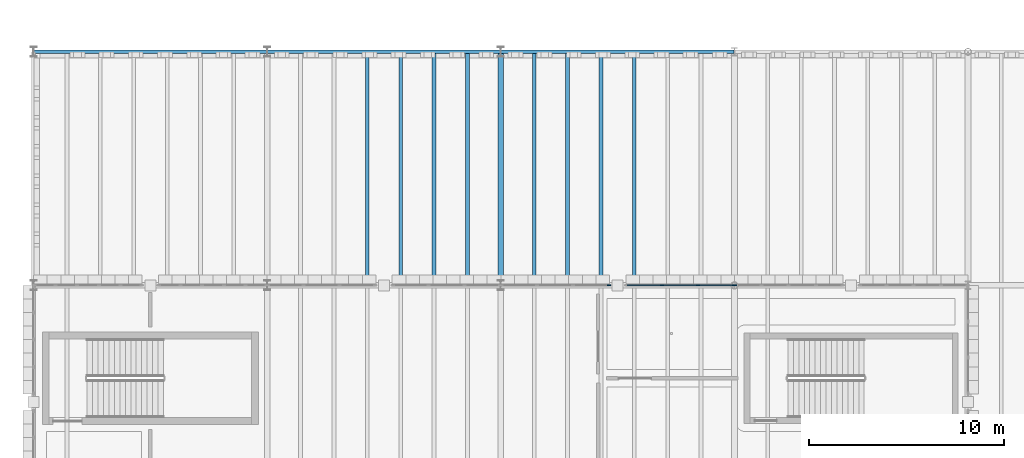
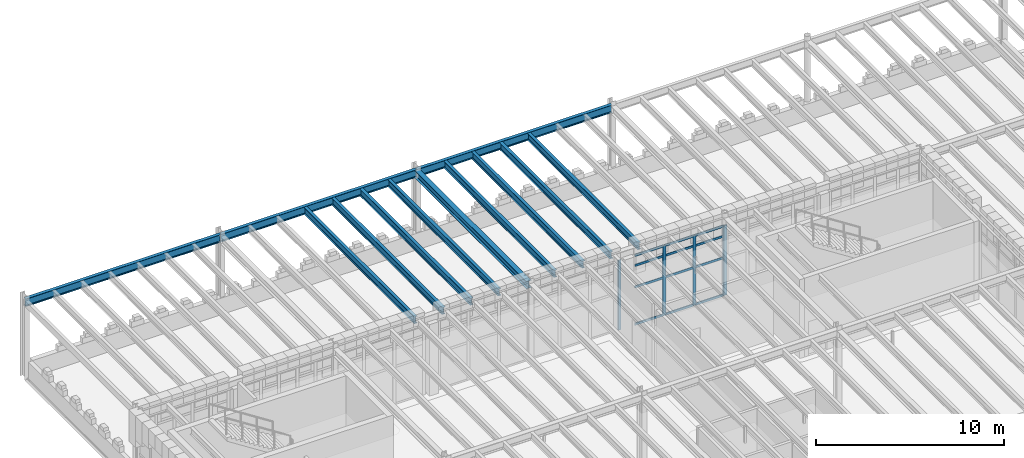
# One storey, part 26 of 100: 17 members, 12 beams, 3 elements without a shape of their own.
"""IFC4 building model written with IfcOpenShell, lengths in metres."""

from ifc_helpers import new_model, si_unit, direction, frame, origin, origin_2d, place, context, subcontext, project, spatial, rectangle, i_section, extrude, material, layer, layer_set, material_profile, profile_set, type_object, element, aggregate, save


model = new_model("IFC4")

# Units and contexts
model_context = context("Model", 3, precision=1e-05, world=origin(), true_north=direction((0.0, 1.0)))
body_context = subcontext(model_context, "Body", "Model", "MODEL_VIEW")
ifc_project = project(units=[si_unit("LENGTHUNIT", "METRE"), si_unit("AREAUNIT", "SQUARE_METRE"), si_unit("VOLUMEUNIT", "CUBIC_METRE"), si_unit("PLANEANGLEUNIT", "RADIAN"), si_unit("MASSUNIT", "GRAM", prefix="KILO")], contexts=[model_context])

# Site, building, storey
site_placement = place(None, origin())
site = spatial("IfcSite", under=ifc_project, at=site_placement, CompositionType="ELEMENT")
building_placement = place(site_placement, origin())
building = spatial("IfcBuilding", under=site, at=building_placement, Name="Zlatogorsky Bluff Art Gallery", CompositionType="ELEMENT")
storey_placement = place(building_placement, frame((0.0, 0.0, 5.39990234375)))
storey = spatial("IfcBuildingStorey", under=building, at=storey_placement, Name="L01", CompositionType="ELEMENT", Elevation=5.39990234375)

# Beams
ifc_material_1 = material(Name="Steel S355", Category="steel")
ifc_material_profile_1 = material_profile(ifc_material_1, i_section(OverallWidth=0.300048828125, OverallDepth=0.489990234375, WebThickness=0.011962890625, FlangeThickness=0.02294921875, FilletRadius=0.027099609375, at=origin_2d()), Name="HEA 500")
ifc_profile_set_1 = profile_set([ifc_material_profile_1], Name="Steel S355")
beam_type_1 = type_object("IfcBeamType", Name="Beam BM-07 HEA 500", PredefinedType="BEAM", material=ifc_profile_set_1)
beam_placement = place(storey_placement, frame((24.0, 108.014892578125, 4.864990234375), z_axis=(0.0, 1.0, 0.0), x_axis=(-1.0, 0.0, 0.0)))
element("IfcBeam", 1, at=beam_placement, inside=storey, type_object=beam_type_1, Name="Primary girder BM-07 L01 C/11-12", PredefinedType="BEAM", context=body_context, shape_type="SweptSolid", body=[
    extrude(i_section(OverallWidth=0.300048828125, OverallDepth=0.489990234375, WebThickness=0.011962890625, FlangeThickness=0.02294921875, FilletRadius=0.027099609375, at=origin_2d()), origin(), (0.0, 0.0, 1.0), 11.97021484375),
])
ifc_material_profile_2 = material_profile(ifc_material_1, i_section(OverallWidth=0.18994140625, OverallDepth=0.449951171875, WebThickness=0.009521484375, FlangeThickness=0.0146484375, FilletRadius=0.02099609375, at=origin_2d()), Name="IPE 450")
ifc_profile_set_2 = profile_set([ifc_material_profile_2], Name="Steel S355")
beam_type_2 = type_object("IfcBeamType", Name="Beam JS-06 IPE 450", PredefinedType="JOIST", material=ifc_profile_set_2)
for number, where, z_axis, x_axis, name in (
    (2, (17.142822265625, 108.14990234375, 4.885009765625), (0.0, 1.0, 0.0), (-1.0, 0.0, 0.0), "Composite floor joist JS-06 L01 01.10.3"),
    (3, (18.857177734375, 108.14990234375, 4.885009765625), (0.0, 1.0, 0.0), (-1.0, 0.0, 0.0), "Composite floor joist JS-06 L01 01.10.4"),
    (4, (20.571533203125, 108.14990234375, 4.885009765625), (0.0, 1.0, 0.0), (-1.0, 0.0, 0.0), "Composite floor joist JS-06 L01 01.10.5"),
    (5, (22.28564453125, 108.14990234375, 4.885009765625), (0.0, 1.0, 0.0), (-1.0, 0.0, 0.0), "Composite floor joist JS-06 L01 01.10.6"),
    (6, (25.71435546875, 108.14990234375, 4.885009765625), (0.0, 1.0, 0.0), (-1.0, 0.0, 0.0), "Composite floor joist JS-06 L01 02.10.1"),
    (7, (27.428466796875, 108.14990234375, 4.885009765625), (0.0, 1.0, 0.0), (-1.0, 0.0, 0.0), "Composite floor joist JS-06 L01 02.10.2"),
    (8, (29.142822265625, 108.14990234375, 4.885009765625), (0.0, 1.0, 0.0), (-1.0, 0.0, 0.0), "Composite floor joist JS-06 L01 02.10.3"),
    (9, (30.857177734375, 108.14990234375, 4.885009765625), (0.0, 1.0, 0.0), (-1.0, 0.0, 0.0), "Composite floor joist JS-06 L01 02.10.4"),
):
    element("IfcBeam", number, at=place(storey_placement, frame(where, z_axis=z_axis, x_axis=x_axis)), inside=storey, type_object=beam_type_2, Name=name, PredefinedType="JOIST", context=body_context, shape_type="SweptSolid", body=[
        extrude(i_section(OverallWidth=0.18994140625, OverallDepth=0.449951171875, WebThickness=0.009521484375, FlangeThickness=0.0146484375, FilletRadius=0.02099609375, at=origin_2d()), origin(), (0.0, 0.0, 1.0), 11.75),
    ])
ifc_material_profile_3 = material_profile(ifc_material_1, i_section(OverallWidth=0.199951171875, OverallDepth=0.5, WebThickness=0.01025390625, FlangeThickness=0.01611328125, FilletRadius=0.02099609375, at=origin_2d()), Name="IPE 500")
ifc_profile_set_3 = profile_set([ifc_material_profile_3], Name="Steel S355")
beam_type_3 = type_object("IfcBeamType", Name="Beam SP-01 IPE 500", PredefinedType="SPANDREL", material=ifc_profile_set_3)
for number, where, z_axis, x_axis, name in (
    (10, (0.014892578125, 120.0, 4.860107421875), (1.0, 0.0, 0.0), (0.0, 1.0, 0.0), "Primary girder SP-01 L01 A-B/12"),
    (11, (12.014892578125, 120.0, 4.860107421875), (1.0, 0.0, 0.0), (0.0, 1.0, 0.0), "Primary girder SP-01 L01 B-C/12"),
    (12, (24.014892578125, 120.0, 4.860107421875), (1.0, 0.0, 0.0), (0.0, 1.0, 0.0), "Primary girder SP-01 L01 C-D/12"),
):
    element("IfcBeam", number, at=place(storey_placement, frame(where, z_axis=z_axis, x_axis=x_axis)), inside=storey, type_object=beam_type_3, Name=name, PredefinedType="SPANDREL", context=body_context, shape_type="SweptSolid", body=[
        extrude(i_section(OverallWidth=0.199951171875, OverallDepth=0.5, WebThickness=0.01025390625, FlangeThickness=0.01611328125, FilletRadius=0.02099609375, at=origin_2d()), origin(), (0.0, 0.0, 1.0), 11.97021484375),
    ])

# Curtain wall, members
ifc_material_2 = material(Name="Anodised Bronze Aluminium and Low-Iron Triple Glazing", Category="aluminium")
ifc_layer_1 = layer(ifc_material_2, 0.219970703125)
ifc_layer_set_1 = layer_set([ifc_layer_1], Name="Curtain Wall CW-04")
curtain_wall_type_1 = type_object("IfcCurtainWallType", Name="Curtain Wall CW-04", PredefinedType="USERDEFINED", material=ifc_layer_set_1)
curtain_wall_1_placement = place(storey_placement, origin())
curtain_wall_1 = element("IfcCurtainWall", 13, at=curtain_wall_1_placement, inside=storey, type_object=curtain_wall_type_1, Name="Unitised curtain wall CW-04 L01 N 2.9-A", ObjectType="CURTAIN WALL", PredefinedType="USERDEFINED")
ifc_material_3 = material(Name="Anodised Bronze Aluminium", Category="aluminium")
ifc_material_profile_4 = material_profile(ifc_material_3, rectangle(XDim=0.06494140625, YDim=0.179931640625, at=origin_2d()), Name="ALU MULLION 65x180")
ifc_profile_set_4 = profile_set([ifc_material_profile_4], Name="Anodised Bronze Aluminium")
member_type_1 = type_object("IfcMemberType", Name="Curtain Mullion ML-01", PredefinedType="MULLION", material=ifc_profile_set_4)
member_1_placement = place(storey_placement, frame((35.967529296875, 108.0, 0.0), z_axis=(0.0, 0.0, 1.0), x_axis=(0.0, -1.0, 0.0)))
member_1 = element("IfcMember", 14, at=member_1_placement, type_object=member_type_1, Name="CW-04 mullion 1", PredefinedType="MULLION", context=body_context, shape_type="SweptSolid", body=[
    extrude(rectangle(XDim=0.06494140625, YDim=0.179931640625, at=origin_2d()), origin(), (0.0, 0.0, 1.0), 4.530029296875),
])
member_2_placement = place(storey_placement, frame((34.139892578125, 108.0, 0.0), z_axis=(0.0, 0.0, 1.0), x_axis=(0.0, -1.0, 0.0)))
member_2 = element("IfcMember", 15, at=member_2_placement, type_object=member_type_1, Name="CW-04 mullion 2", PredefinedType="MULLION", context=body_context, shape_type="SweptSolid", body=[
    extrude(rectangle(XDim=0.06494140625, YDim=0.179931640625, at=origin_2d()), origin(), (0.0, 0.0, 1.0), 4.530029296875),
])
member_3_placement = place(storey_placement, frame((32.280029296875, 108.0, 0.0), z_axis=(0.0, 0.0, 1.0), x_axis=(0.0, -1.0, 0.0)))
member_3 = element("IfcMember", 16, at=member_3_placement, type_object=member_type_1, Name="CW-04 mullion 3", PredefinedType="MULLION", context=body_context, shape_type="SweptSolid", body=[
    extrude(rectangle(XDim=0.06494140625, YDim=0.179931640625, at=origin_2d()), origin(), (0.0, 0.0, 1.0), 4.530029296875),
])

# Curtain wall, member
curtain_wall_2_placement = place(storey_placement, origin())
curtain_wall_2 = element("IfcCurtainWall", 17, at=curtain_wall_2_placement, inside=storey, type_object=curtain_wall_type_1, Name="Unitised curtain wall CW-04 L01 N 2.9-B", ObjectType="CURTAIN WALL", PredefinedType="USERDEFINED")
member_4_placement = place(storey_placement, frame((29.547607421875, 108.0, 0.0), z_axis=(0.0, 0.0, 1.0), x_axis=(0.0, -1.0, 0.0)))
member_4 = element("IfcMember", 18, at=member_4_placement, type_object=member_type_1, Name="CW-04 mullion 1", PredefinedType="MULLION", context=body_context, shape_type="SweptSolid", body=[
    extrude(rectangle(XDim=0.06494140625, YDim=0.179931640625, at=origin_2d()), origin(), (0.0, 0.0, 1.0), 4.530029296875),
])
aggregate(curtain_wall_2, [member_4])

ifc_layer_2 = layer(ifc_material_2, 0.199951171875)
ifc_layer_set_2 = layer_set([ifc_layer_2], Name="Curtain Wall CW-02")
curtain_wall_type_2 = type_object("IfcCurtainWallType", Name="Curtain Wall CW-02", PredefinedType="USERDEFINED", material=ifc_layer_set_2)
curtain_wall_3_placement = place(storey_placement, origin())
curtain_wall_3 = element("IfcCurtainWall", 19, at=curtain_wall_3_placement, inside=storey, type_object=curtain_wall_type_2, Name="Unitised curtain wall CW-02 L01 N 3.9-B", ObjectType="CURTAIN WALL", PredefinedType="USERDEFINED")
member_5_placement = place(storey_placement, frame((36.032470703125, 108.0, 0.0), z_axis=(0.0, 0.0, 1.0), x_axis=(0.0, -1.0, 0.0)))
member_5 = element("IfcMember", 20, at=member_5_placement, type_object=member_type_1, Name="CW-02 mullion 5", PredefinedType="MULLION", context=body_context, shape_type="SweptSolid", body=[
    extrude(rectangle(XDim=0.06494140625, YDim=0.179931640625, at=origin_2d()), origin(), (0.0, 0.0, 1.0), 4.530029296875),
])
aggregate(curtain_wall_3, [member_5])

# Member
ifc_material_profile_5 = material_profile(ifc_material_3, rectangle(XDim=0.06494140625, YDim=0.139892578125, at=origin_2d()), Name="ALU TRANSOM 65x140")
ifc_profile_set_5 = profile_set([ifc_material_profile_5], Name="Anodised Bronze Aluminium")
member_type_2 = type_object("IfcMemberType", Name="Curtain Transom TR-01", PredefinedType="USERDEFINED", material=ifc_profile_set_5)
member_6_placement = place(storey_placement, frame((35.93505859375, 108.0, 0.03271484375), z_axis=(-1.0, 0.0, 0.0), x_axis=(0.0, -1.0, 0.0)))
member_6 = element("IfcMember", 21, at=member_6_placement, type_object=member_type_2, Name="CW-04 transom 1.1", ObjectType="TRANSOM", PredefinedType="USERDEFINED", context=body_context, shape_type="SweptSolid", body=[
    extrude(rectangle(XDim=0.06494140625, YDim=0.139892578125, at=origin_2d()), origin(), (0.0, 0.0, 1.0), 1.762451171875),
])

member_7_placement = place(storey_placement, frame((35.93505859375, 108.0, 2.4501953125), z_axis=(-1.0, 0.0, 0.0), x_axis=(0.0, -1.0, 0.0)))
member_7 = element("IfcMember", 22, at=member_7_placement, type_object=member_type_2, Name="CW-04 transom 1.2", ObjectType="TRANSOM", PredefinedType="USERDEFINED", context=body_context, shape_type="SweptSolid", body=[
    extrude(rectangle(XDim=0.06494140625, YDim=0.139892578125, at=origin_2d()), origin(), (0.0, 0.0, 1.0), 1.762451171875),
])

member_8_placement = place(storey_placement, frame((35.93505859375, 108.0, 3.85009765625), z_axis=(-1.0, 0.0, 0.0), x_axis=(0.0, -1.0, 0.0)))
member_8 = element("IfcMember", 23, at=member_8_placement, type_object=member_type_2, Name="CW-04 transom 1.3", ObjectType="TRANSOM", PredefinedType="USERDEFINED", context=body_context, shape_type="SweptSolid", body=[
    extrude(rectangle(XDim=0.06494140625, YDim=0.139892578125, at=origin_2d()), origin(), (0.0, 0.0, 1.0), 1.762451171875),
])

member_9_placement = place(storey_placement, frame((35.93505859375, 108.0, 4.49755859375), z_axis=(-1.0, 0.0, 0.0), x_axis=(0.0, -1.0, 0.0)))
member_9 = element("IfcMember", 24, at=member_9_placement, type_object=member_type_2, Name="CW-04 transom 1.4", ObjectType="TRANSOM", PredefinedType="USERDEFINED", context=body_context, shape_type="SweptSolid", body=[
    extrude(rectangle(XDim=0.06494140625, YDim=0.139892578125, at=origin_2d()), origin(), (0.0, 0.0, 1.0), 1.762451171875),
])

member_10_placement = place(storey_placement, frame((34.107421875, 108.0, 0.03271484375), z_axis=(-1.0, 0.0, 0.0), x_axis=(0.0, -1.0, 0.0)))
member_10 = element("IfcMember", 25, at=member_10_placement, type_object=member_type_2, Name="CW-04 transom 2.1", ObjectType="TRANSOM", PredefinedType="USERDEFINED", context=body_context, shape_type="SweptSolid", body=[
    extrude(rectangle(XDim=0.06494140625, YDim=0.139892578125, at=origin_2d()), origin(), (0.0, 0.0, 1.0), 1.794921875),
])

member_11_placement = place(storey_placement, frame((34.107421875, 108.0, 2.4501953125), z_axis=(-1.0, 0.0, 0.0), x_axis=(0.0, -1.0, 0.0)))
member_11 = element("IfcMember", 26, at=member_11_placement, type_object=member_type_2, Name="CW-04 transom 2.2", ObjectType="TRANSOM", PredefinedType="USERDEFINED", context=body_context, shape_type="SweptSolid", body=[
    extrude(rectangle(XDim=0.06494140625, YDim=0.139892578125, at=origin_2d()), origin(), (0.0, 0.0, 1.0), 1.794921875),
])

member_12_placement = place(storey_placement, frame((34.107421875, 108.0, 3.85009765625), z_axis=(-1.0, 0.0, 0.0), x_axis=(0.0, -1.0, 0.0)))
member_12 = element("IfcMember", 27, at=member_12_placement, type_object=member_type_2, Name="CW-04 transom 2.3", ObjectType="TRANSOM", PredefinedType="USERDEFINED", context=body_context, shape_type="SweptSolid", body=[
    extrude(rectangle(XDim=0.06494140625, YDim=0.139892578125, at=origin_2d()), origin(), (0.0, 0.0, 1.0), 1.794921875),
])

member_13_placement = place(storey_placement, frame((34.107421875, 108.0, 4.49755859375), z_axis=(-1.0, 0.0, 0.0), x_axis=(0.0, -1.0, 0.0)))
member_13 = element("IfcMember", 28, at=member_13_placement, type_object=member_type_2, Name="CW-04 transom 2.4", ObjectType="TRANSOM", PredefinedType="USERDEFINED", context=body_context, shape_type="SweptSolid", body=[
    extrude(rectangle(XDim=0.06494140625, YDim=0.139892578125, at=origin_2d()), origin(), (0.0, 0.0, 1.0), 1.794921875),
])

member_14_placement = place(storey_placement, frame((32.24755859375, 108.0, 0.03271484375), z_axis=(-1.0, 0.0, 0.0), x_axis=(0.0, -1.0, 0.0)))
member_14 = element("IfcMember", 29, at=member_14_placement, type_object=member_type_2, Name="CW-04 transom 3.1", ObjectType="TRANSOM", PredefinedType="USERDEFINED", context=body_context, shape_type="SweptSolid", body=[
    extrude(rectangle(XDim=0.06494140625, YDim=0.139892578125, at=origin_2d()), origin(), (0.0, 0.0, 1.0), 1.762451171875),
])

member_15_placement = place(storey_placement, frame((32.24755859375, 108.0, 2.4501953125), z_axis=(-1.0, 0.0, 0.0), x_axis=(0.0, -1.0, 0.0)))
member_15 = element("IfcMember", 30, at=member_15_placement, type_object=member_type_2, Name="CW-04 transom 3.2", ObjectType="TRANSOM", PredefinedType="USERDEFINED", context=body_context, shape_type="SweptSolid", body=[
    extrude(rectangle(XDim=0.06494140625, YDim=0.139892578125, at=origin_2d()), origin(), (0.0, 0.0, 1.0), 1.762451171875),
])

member_16_placement = place(storey_placement, frame((32.24755859375, 108.0, 3.85009765625), z_axis=(-1.0, 0.0, 0.0), x_axis=(0.0, -1.0, 0.0)))
member_16 = element("IfcMember", 31, at=member_16_placement, type_object=member_type_2, Name="CW-04 transom 3.3", ObjectType="TRANSOM", PredefinedType="USERDEFINED", context=body_context, shape_type="SweptSolid", body=[
    extrude(rectangle(XDim=0.06494140625, YDim=0.139892578125, at=origin_2d()), origin(), (0.0, 0.0, 1.0), 1.762451171875),
])

member_17_placement = place(storey_placement, frame((32.24755859375, 108.0, 4.49755859375), z_axis=(-1.0, 0.0, 0.0), x_axis=(0.0, -1.0, 0.0)))
member_17 = element("IfcMember", 32, at=member_17_placement, type_object=member_type_2, Name="CW-04 transom 3.4", ObjectType="TRANSOM", PredefinedType="USERDEFINED", context=body_context, shape_type="SweptSolid", body=[
    extrude(rectangle(XDim=0.06494140625, YDim=0.139892578125, at=origin_2d()), origin(), (0.0, 0.0, 1.0), 1.762451171875),
])

aggregate(curtain_wall_1, [member_1, member_2, member_3, member_6, member_7, member_8, member_9, member_10, member_11, member_12, member_13, member_14, member_15, member_16, member_17])

save(model, "model.ifc")
